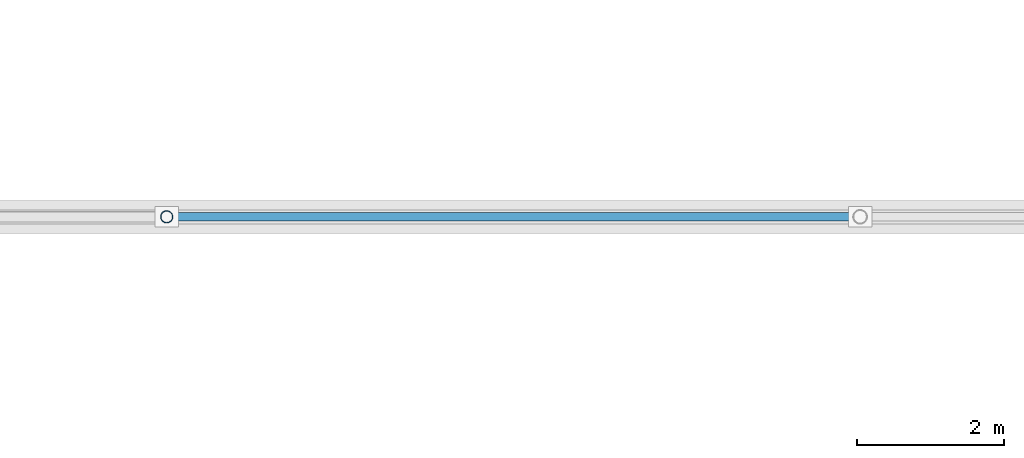
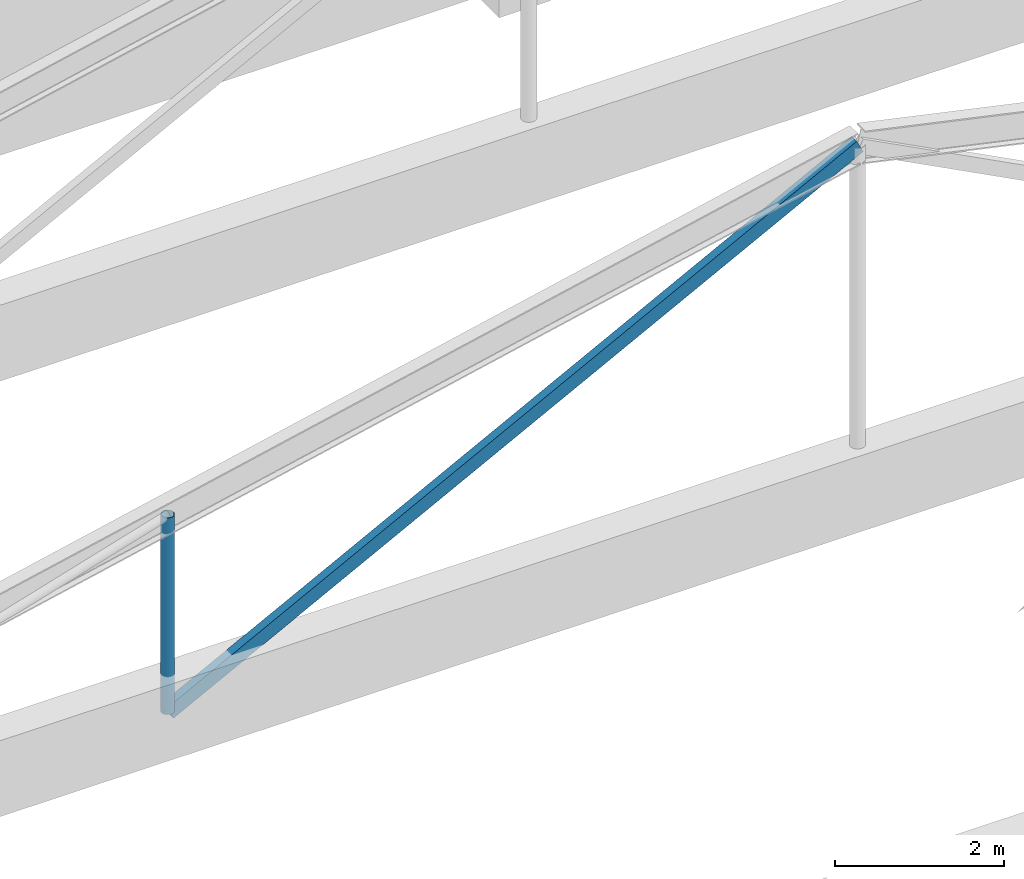
# One storey, part 32 of 105: 2 members.
"""IFC4 building model written with IfcOpenShell, lengths in metres."""

from ifc_helpers import new_model, si_unit, direction, frame, origin, origin_2d, place, context, subcontext, project, spatial, hollow_rectangle, hollow_circle, extrude, material, material_profile, profile_set, type_object, element, save


model = new_model("IFC4")

# Units and contexts
model_context = context("Model", 3, precision=1e-05, world=origin(), true_north=direction((0.0, 1.0)))
body_context = subcontext(model_context, "Body", "Model", "MODEL_VIEW")
ifc_project = project(units=[si_unit("LENGTHUNIT", "METRE"), si_unit("AREAUNIT", "SQUARE_METRE"), si_unit("VOLUMEUNIT", "CUBIC_METRE"), si_unit("PLANEANGLEUNIT", "RADIAN"), si_unit("MASSUNIT", "GRAM", prefix="KILO")], contexts=[model_context])

# Site, building, storey
site_placement = place(None, origin())
site = spatial("IfcSite", under=ifc_project, at=site_placement, CompositionType="ELEMENT")
building_placement = place(site_placement, origin())
building = spatial("IfcBuilding", under=site, at=building_placement, Name="Pelvatis Terrace Science Centre", CompositionType="ELEMENT")
storey_placement = place(building_placement, frame((0.0, 0.0, 10.199951171875)))
storey = spatial("IfcBuildingStorey", under=building, at=storey_placement, Name="L02", CompositionType="ELEMENT", Elevation=10.199951171875)

# Members
ifc_material_1 = material(Name="Structural steel S355", Category="steel")
ifc_material_profile_1 = material_profile(ifc_material_1, hollow_rectangle(XDim=0.1201171875, YDim=0.199951171875, WallThickness=0.00634765625, at=origin_2d()), Name="RHS 200x120x6.3")
ifc_profile_set_1 = profile_set([ifc_material_profile_1], Name="Structural steel S355")
member_type_1 = type_object("IfcMemberType", Name="MEM-BRC-RHS200", PredefinedType="BRACE", material=ifc_profile_set_1)
member_1_placement = place(storey_placement, frame((17.85009765625, 101.39990234375, 3.400146484375), z_axis=(0.887757308466, 0.0, 0.46031180874), x_axis=(0.0, 1.0, 0.0)))
element("IfcMember", 1, at=member_1_placement, inside=storey, type_object=member_type_1, Name="Theatre truss 5 web 4", PredefinedType="BRACE", context=body_context, shape_type="SweptSolid", body=[
    extrude(hollow_rectangle(XDim=0.1201171875, YDim=0.199951171875, WallThickness=0.00634765625, at=origin_2d()), origin(), (0.0, 0.0, 1.0), 10.644775390625),
])
ifc_material_2 = material(Name="Structural steel S355", Category="steel")
ifc_material_profile_2 = material_profile(ifc_material_2, hollow_circle(Radius=0.084228515625, WallThickness=0.00634765625, at=origin_2d()), Name="CHS 168.3x6.3")
ifc_profile_set_2 = profile_set([ifc_material_profile_2], Name="Structural steel S355")
member_type_2 = type_object("IfcMemberType", Name="MEM-STR-CHS168", PredefinedType="STRUT", material=ifc_profile_set_2)
member_2_placement = place(storey_placement, frame((17.85009765625, 101.39990234375, 3.400146484375), z_axis=(0.0, 0.0, 1.0), x_axis=(1.0, 0.0, 0.0)))
element("IfcMember", 2, at=member_2_placement, inside=storey, type_object=member_type_2, Name="Theatre truss 5 web 1", PredefinedType="STRUT", context=body_context, shape_type="SweptSolid", body=[
    extrude(hollow_circle(Radius=0.084228515625, WallThickness=0.00634765625, at=origin_2d()), origin(), (0.0, 0.0, 1.0), 2.849853515625),
])

save(model, "model.ifc")
